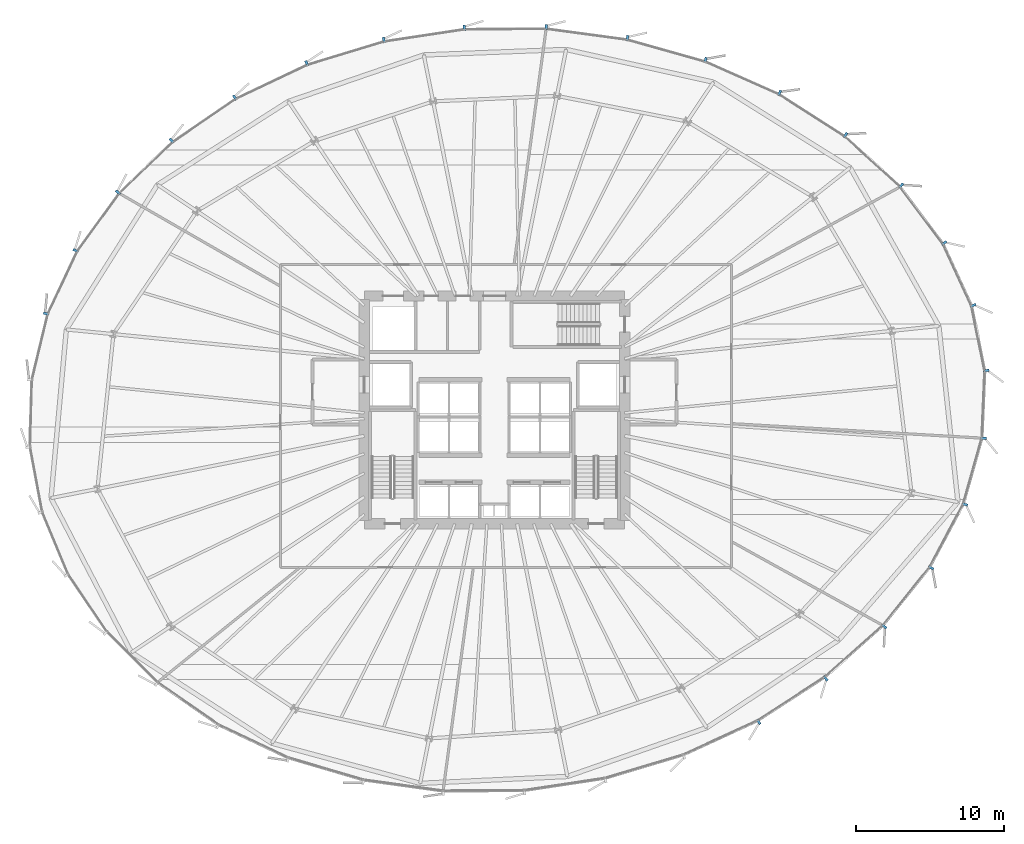
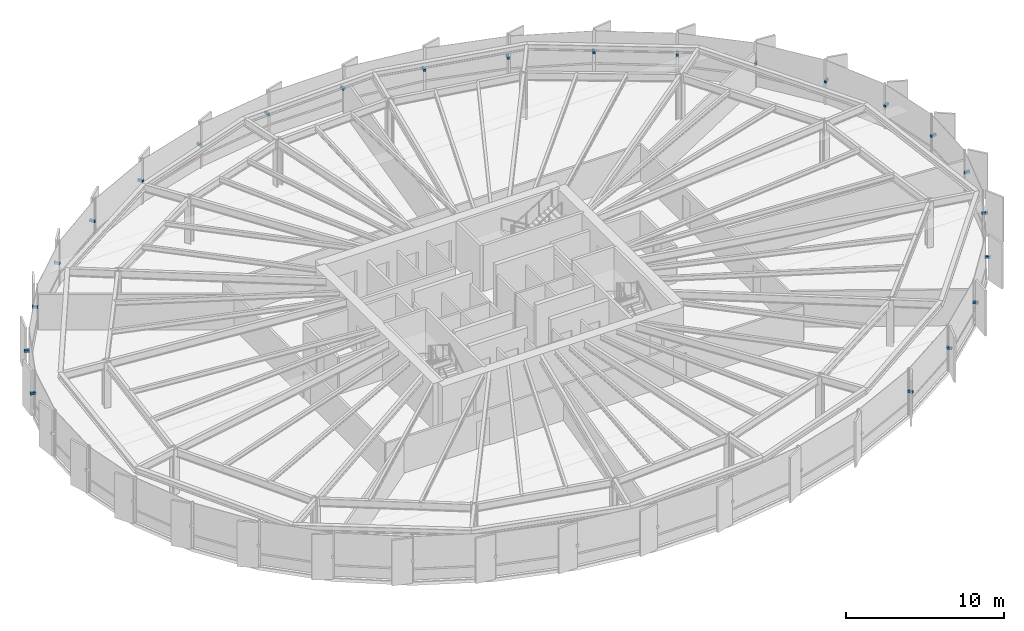
# One storey, part 32 of 37: 23 discrete accessories.
"""IFC4 building model written with IfcOpenShell, lengths in metres."""

from ifc_helpers import new_model, si_unit, direction, frame, origin, origin_2d, place, context, subcontext, project, spatial, rectangle, extrude, source, transform, mapped, material, type_object, element, save


model = new_model("IFC4")

# Units and contexts
model_context = context("Model", 3, precision=1e-05, world=origin(), true_north=direction((0.0, 1.0)))
body_context = subcontext(model_context, "Body", "Model", "MODEL_VIEW")
ifc_project = project(units=[si_unit("LENGTHUNIT", "METRE"), si_unit("AREAUNIT", "SQUARE_METRE"), si_unit("VOLUMEUNIT", "CUBIC_METRE"), si_unit("PLANEANGLEUNIT", "RADIAN"), si_unit("MASSUNIT", "GRAM", prefix="KILO"), si_unit("THERMODYNAMICTEMPERATUREUNIT", "KELVIN")], contexts=[model_context])

# Site, building, storey
site_placement = place(None, origin())
site = spatial("IfcSite", under=ifc_project, at=site_placement, CompositionType="ELEMENT")
building_placement = place(site_placement, origin())
building = spatial("IfcBuilding", under=site, at=building_placement, Name="Kethvar Cultural Tower", CompositionType="ELEMENT")
storey_placement = place(building_placement, frame((0.0, 0.0, 48.60009765625)))
storey = spatial("IfcBuildingStorey", under=building, at=storey_placement, Name="L11", CompositionType="ELEMENT", Elevation=48.60009765625)

# Discrete accessories
ifc_material = material(Name="Steel S355J2", Category="steel")
discrete_accessory_type = type_object("IfcDiscreteAccessoryType", Name="Steel Fin Bracket BRK-01", PredefinedType="BRACKET", material=ifc_material)
shared_shape = source(origin(), body_context, "Body", "SweptSolid", [
    extrude(rectangle(XDim=0.3798828125, YDim=0.159912109375, at=origin_2d()), origin(), (0.0, 0.0, 1.0), 0.179931640625),
])
for number, where, z_axis, x_axis, name in (
    (1, (80.050048828125, 30.460205078125, 1.68505859375), (0.0, 0.0, 1.0), (0.980202119474, 0.197999507521, 0.0), "L11 Terracotta Fin Bracket 1.1"),
    (2, (79.16064453125, 34.86279296875, 1.68505859375), (0.0, 0.0, 1.0), (0.907923839623, 0.419135182781, 0.0), "L11 Terracotta Fin Bracket 1.2"),
    (3, (77.21044921875, 39.08642578125, 1.68505859375), (0.0, 0.0, 1.0), (0.798950510167, 0.6013967761, 0.0), "L11 Terracotta Fin Bracket 1.3"),
    (4, (74.29150390625, 42.963623046875, 1.68505859375), (0.0, 0.0, 1.0), (0.672108381607, 0.740452782677, 0.0), "L11 Terracotta Fin Bracket 1.4"),
    (5, (70.528564453125, 46.379150390625, 1.68505859375), (0.0, 0.0, 1.0), (0.539505758171, 0.841981910079, 0.0), "L11 Terracotta Fin Bracket 1.5"),
    (6, (66.0751953125, 49.232421875, 1.68505859375), (0.0, 0.0, 1.0), (0.405779757666, 0.913970890274, 0.0), "L11 Terracotta Fin Bracket 1.6"),
    (7, (61.062255859375, 51.451171875, 1.68505859375), (0.0, 0.0, 1.0), (0.270936472296, 0.962597230403, 0.0), "L11 Terracotta Fin Bracket 2.1"),
    (8, (55.785888671875, 52.93603515625, 1.68505859375), (0.0, 0.0, 1.0), (0.133467289485, 0.991053218872, 0.0), "L11 Terracotta Fin Bracket 2.2"),
    (9, (50.291015625, 53.67626953125, 1.68505859375), (0.0, 0.0, 1.0), (-0.007155788863, 0.999974397015, 0.0), "L11 Terracotta Fin Bracket 2.3"),
    (10, (44.765869140625, 53.635986328125, 1.68505859375), (0.0, 0.0, 1.0), (-0.149535343444, 0.988756381047, 0.0), "L11 Terracotta Fin Bracket 2.4"),
    (11, (39.32470703125, 52.81298828125, 1.68505859375), (0.0, 0.0, 1.0), (-0.290535193698, 0.956864306588, 0.0), "L11 Terracotta Fin Bracket 2.5"),
    (12, (34.110595703125, 51.229736328125, 1.68505859375), (0.0, 0.0, 1.0), (-0.429250430767, 0.903185511225, 0.0), "L11 Terracotta Fin Bracket 2.6"),
    (13, (29.2470703125, 48.910888671875, 1.68505859375), (0.0, 0.0, 1.0), (-0.564390827903, 0.825507718546, 0.0), "L11 Terracotta Fin Bracket 3.1"),
    (14, (24.985595703125, 45.99755859375, 1.68505859375), (0.0, 0.0, 1.0), (-0.692646888854, 0.721276845158, 0.0), "L11 Terracotta Fin Bracket 3.2"),
    (15, (21.351806640625, 42.50732421875, 1.68505859375), (0.0, 0.0, 1.0), (-0.809016994375, 0.587785252292, 0.0), "L11 Terracotta Fin Bracket 3.3"),
    (16, (18.4912109375, 38.570068359375, 1.68505859375), (0.0, 0.0, 1.0), (-0.90534656459, 0.42467351929, 0.0), "L11 Terracotta Fin Bracket 3.4"),
    (17, (16.49072265625, 34.3056640625, 1.68505859375), (0.0, 0.0, 1.0), (-0.971961000579, 0.235142113103, 0.0), "L11 Terracotta Fin Bracket 3.5"),
    (18, (64.66162109375, 6.71240234375, 1.68505859375), (0.0, 0.0, 1.0), (0.543760482779, -0.839240452652, 0.0), "L11 Terracotta Fin Bracket 6.1"),
    (19, (69.19189453125, 9.647705078125, 1.68505859375), (0.0, 0.0, 1.0), (0.664578536706, -0.747218420912, 0.0), "L11 Terracotta Fin Bracket 6.2"),
    (20, (73.143798828125, 13.162841796875, 1.68505859375), (0.0, 0.0, 1.0), (0.779665947075, -0.626195665085, 0.0), "L11 Terracotta Fin Bracket 6.3"),
    (21, (76.326171875, 17.125244140625, 1.68505859375), (0.0, 0.0, 1.0), (0.883193286551, -0.469009188174, 0.0), "L11 Terracotta Fin Bracket 6.4"),
    (22, (78.602294921875, 21.41162109375, 1.68505859375), (0.0, 0.0, 1.0), (0.962312978642, -0.271944353017, 0.0), "L11 Terracotta Fin Bracket 6.5"),
    (23, (79.86767578125, 25.888916015625, 1.68505859375), (0.0, 0.0, 1.0), (0.999108151868, -0.042224410831, 0.0), "L11 Terracotta Fin Bracket 6.6"),
):
    element("IfcDiscreteAccessory", number, at=place(storey_placement, frame(where, z_axis=z_axis, x_axis=x_axis)), inside=storey, type_object=discrete_accessory_type, Name=name, PredefinedType="BRACKET", context=body_context, shape_type="MappedRepresentation", body=[
        mapped(shared_shape, transform((0.0, 0.0, 0.0), scale=1.0)),
    ])

save(model, "model.ifc")
